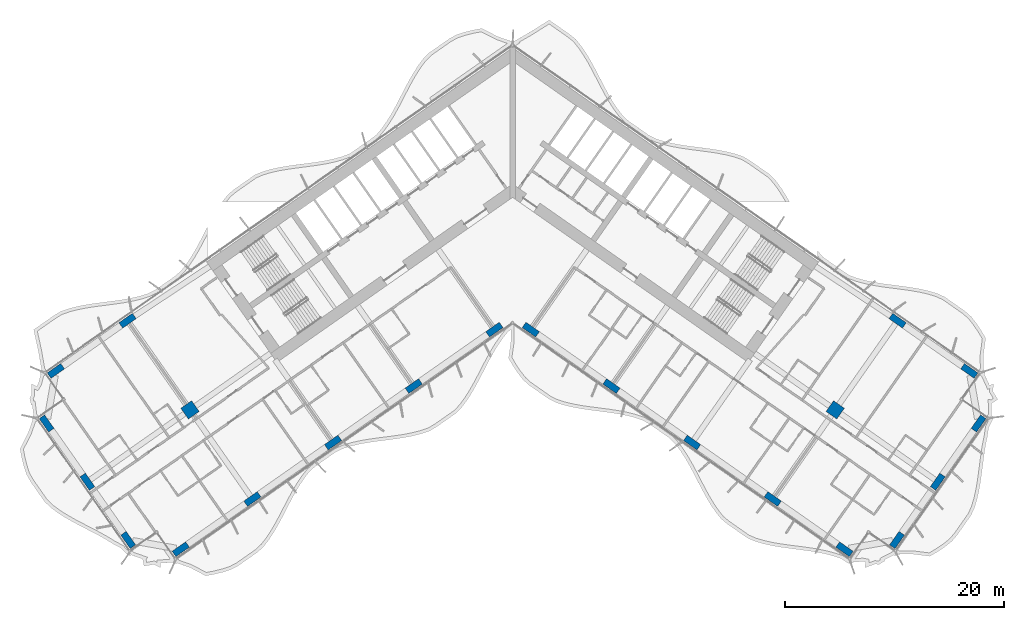
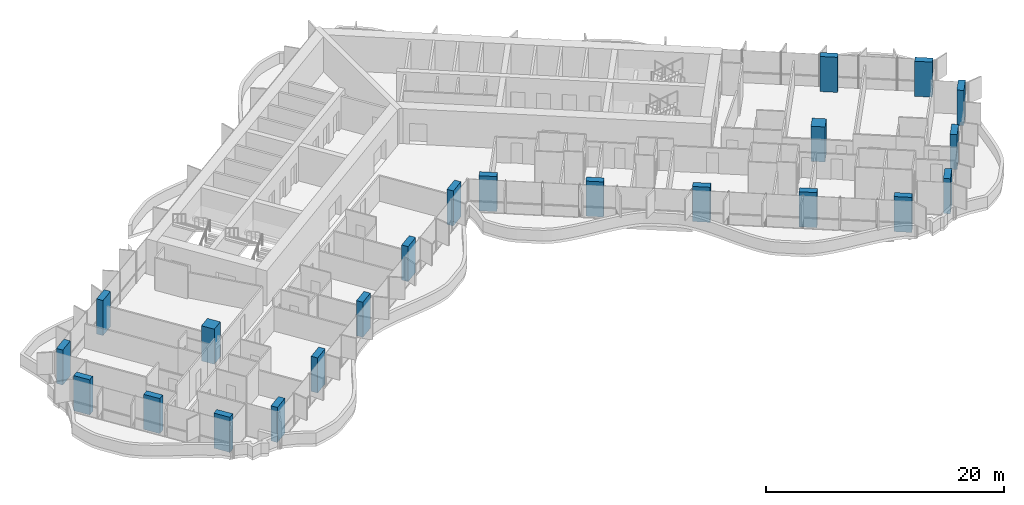
# One storey, part 1 of 24: 22 columns.
"""IFC4 building model written with IfcOpenShell, lengths in metres."""

from ifc_helpers import new_model, si_unit, direction, frame, origin, origin_2d, place, context, subcontext, project, spatial, rectangle, extrude, material, material_profile, profile_set, type_object, element, save


model = new_model("IFC4")

# Units and contexts
model_context = context("Model", 3, precision=1e-05, world=origin(), true_north=direction((0.0, 1.0)))
body_context = subcontext(model_context, "Body", "Model", "MODEL_VIEW")
ifc_project = project(units=[si_unit("LENGTHUNIT", "METRE"), si_unit("AREAUNIT", "SQUARE_METRE"), si_unit("VOLUMEUNIT", "CUBIC_METRE"), si_unit("PLANEANGLEUNIT", "RADIAN"), si_unit("MASSUNIT", "GRAM", prefix="KILO")], contexts=[model_context])

# Site, building, storey
site_placement = place(None, origin())
site = spatial("IfcSite", under=ifc_project, at=site_placement, CompositionType="ELEMENT")
building_placement = place(site_placement, origin())
building = spatial("IfcBuilding", under=site, at=building_placement, Name="Tel Ilan Convention Tower", CompositionType="ELEMENT")
storey_placement = place(building_placement, frame((0.0, 0.0, 65.300048828125)))
storey = spatial("IfcBuildingStorey", under=building, at=storey_placement, Name="L11", CompositionType="ELEMENT", Elevation=65.300048828125)

# Columns
ifc_material_1 = material(Name="Concrete C60/75", Category="concrete")
ifc_material_profile_1 = material_profile(ifc_material_1, rectangle(XDim=1.199951171875, YDim=1.199951171875, at=origin_2d()), Name="RC 1200x1200")
ifc_profile_set_1 = profile_set([ifc_material_profile_1], Name="Concrete C60/75")
column_type_1 = type_object("IfcColumnType", Name="Column RC 1200x1200 C60/75", PredefinedType="COLUMN", material=ifc_profile_set_1)
for number, where, z_axis, x_axis, name in (
    (1, (-29.489501953125, -20.648681640625, 0.0), (0.0, 0.0, 1.0), (-0.819152044289, -0.573576436351, 0.0), "L11 column W-M4"),
    (2, (29.489501953125, -20.648681640625, 0.0), (0.0, 0.0, 1.0), (0.819152044289, -0.573576436351, 0.0), "L11 column E-M4"),
):
    element("IfcColumn", number, at=place(storey_placement, frame(where, z_axis=z_axis, x_axis=x_axis)), inside=storey, type_object=column_type_1, Name=name, PredefinedType="COLUMN", context=body_context, shape_type="SweptSolid", body=[
        extrude(rectangle(XDim=1.199951171875, YDim=1.199951171875, at=origin_2d()), origin(), (0.0, 0.0, 1.0), 3.599853515625),
    ])
ifc_material_2 = material(Name="Concrete C60/75", Category="concrete")
ifc_material_profile_2 = material_profile(ifc_material_2, rectangle(XDim=1.5, YDim=0.60009765625, at=origin_2d()), Name="RC 600x1500")
ifc_profile_set_2 = profile_set([ifc_material_profile_2], Name="Concrete C60/75")
column_type_2 = type_object("IfcColumnType", Name="Column RC 600x1500 C60/75", PredefinedType="COLUMN", material=ifc_profile_set_2)
for number, where, z_axis, x_axis, name in (
    (3, (-1.665283203125, -13.312744140625, 0.0), (0.0, 0.0, 1.0), (-0.819152044289, -0.573576436351, 0.0), "L11 column W-F1"),
    (4, (-9.03759765625, -18.474853515625, 0.0), (0.0, 0.0, 1.0), (-0.819152044289, -0.573576436351, 0.0), "L11 column W-F2"),
    (5, (-16.409912109375, -23.63720703125, 0.0), (0.0, 0.0, 1.0), (-0.819152044289, -0.573576436351, 0.0), "L11 column W-F3"),
    (6, (-23.782470703125, -28.79931640625, 0.0), (0.0, 0.0, 1.0), (-0.819152044289, -0.573576436351, 0.0), "L11 column W-F4"),
    (7, (-30.335693359375, -33.387939453125, 0.0), (0.0, 0.0, 1.0), (-0.819152044289, -0.573576436351, 0.0), "L11 column W-FC"),
    (8, (-35.196533203125, -12.498291015625, 0.0), (0.0, 0.0, 1.0), (-0.819152044289, -0.573576436351, 0.0), "L11 column W-B4"),
    (9, (-41.749755859375, -17.0869140625, 0.0), (0.0, 0.0, 1.0), (-0.819152044289, -0.573576436351, 0.0), "L11 column W-BC"),
    (10, (-35.140380859375, -32.540771484375, 0.0), (0.0, 0.0, 1.0), (-0.573576436351, 0.819152044289, 0.0), "L11 column W-E1"),
    (11, (-38.868896484375, -27.21630859375, 0.0), (0.0, 0.0, 1.0), (-0.573576436351, 0.819152044289, 0.0), "L11 column W-E2"),
    (12, (-42.596923828125, -21.8916015625, 0.0), (0.0, 0.0, 1.0), (-0.573576436351, 0.819152044289, 0.0), "L11 column W-E3"),
    (13, (1.665283203125, -13.312744140625, 0.0), (0.0, 0.0, 1.0), (0.819152044289, -0.573576436351, 0.0), "L11 column E-F1"),
    (14, (9.03759765625, -18.474853515625, 0.0), (0.0, 0.0, 1.0), (0.819152044289, -0.573576436351, 0.0), "L11 column E-F2"),
    (15, (16.409912109375, -23.63720703125, 0.0), (0.0, 0.0, 1.0), (0.819152044289, -0.573576436351, 0.0), "L11 column E-F3"),
    (16, (23.782470703125, -28.79931640625, 0.0), (0.0, 0.0, 1.0), (0.819152044289, -0.573576436351, 0.0), "L11 column E-F4"),
    (17, (30.335693359375, -33.387939453125, 0.0), (0.0, 0.0, 1.0), (0.819152044289, -0.573576436351, 0.0), "L11 column E-FC"),
    (18, (35.196533203125, -12.498291015625, 0.0), (0.0, 0.0, 1.0), (0.819152044289, -0.573576436351, 0.0), "L11 column E-B4"),
    (19, (41.749755859375, -17.0869140625, 0.0), (0.0, 0.0, 1.0), (0.819152044289, -0.573576436351, 0.0), "L11 column E-BC"),
    (20, (35.140380859375, -32.540771484375, 0.0), (0.0, 0.0, 1.0), (0.573576436351, 0.819152044289, 0.0), "L11 column E-E1"),
    (21, (38.868896484375, -27.21630859375, 0.0), (0.0, 0.0, 1.0), (0.573576436351, 0.819152044289, 0.0), "L11 column E-E2"),
    (22, (42.596923828125, -21.8916015625, 0.0), (0.0, 0.0, 1.0), (0.573576436351, 0.819152044289, 0.0), "L11 column E-E3"),
):
    element("IfcColumn", number, at=place(storey_placement, frame(where, z_axis=z_axis, x_axis=x_axis)), inside=storey, type_object=column_type_2, Name=name, PredefinedType="COLUMN", context=body_context, shape_type="SweptSolid", body=[
        extrude(rectangle(XDim=1.5, YDim=0.60009765625, at=origin_2d()), origin(), (0.0, 0.0, 1.0), 3.599853515625),
    ])

save(model, "model.ifc")
